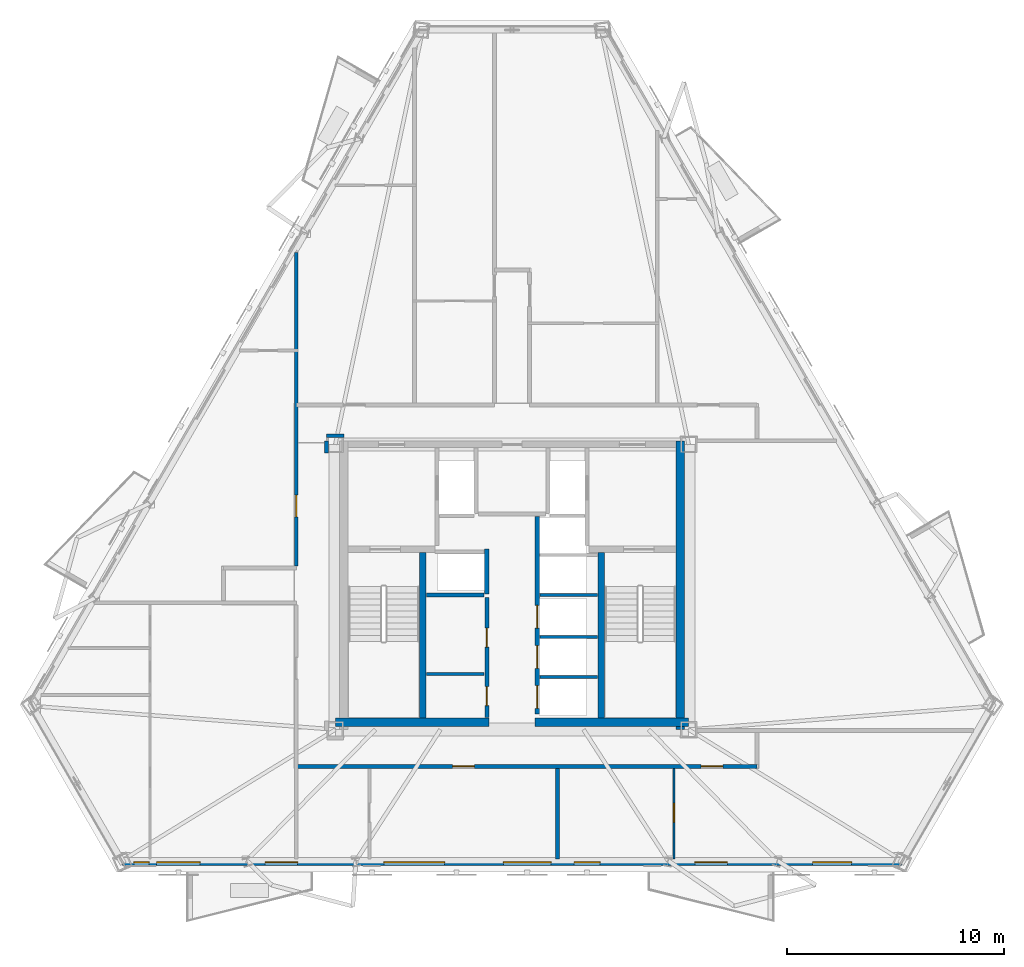
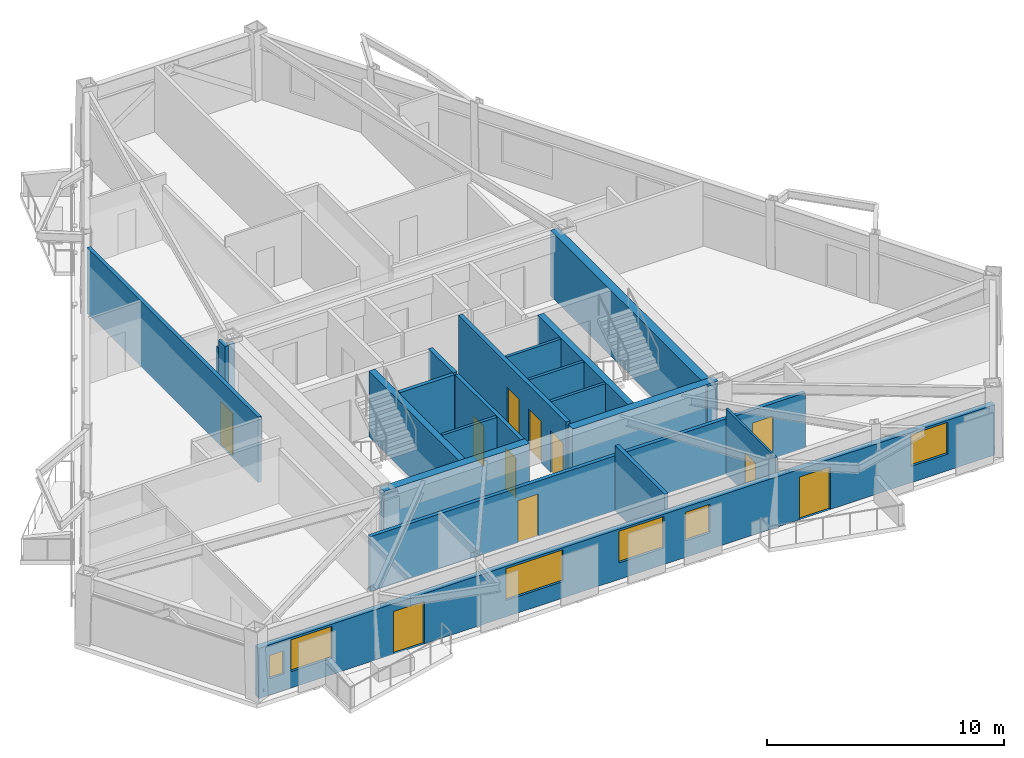
# One storey, part 3 of 9: 20 walls, 11 doors, 6 windows, 17 openings.
"""IFC4 building model written with IfcOpenShell, lengths in metres."""

from ifc_helpers import new_model, si_unit, direction, frame, frame_2d, origin, place, context, subcontext, project, spatial, rectangle, extrude, material, layer, layer_set, type_object, element, fill, save


model = new_model("IFC4")

# Units and contexts
model_context = context("Model", 3, precision=1e-05, world=origin(), true_north=direction((0.0, 1.0)))
body_context = subcontext(model_context, "Body", "Model", "MODEL_VIEW")
ifc_project = project(units=[si_unit("LENGTHUNIT", "METRE"), si_unit("AREAUNIT", "SQUARE_METRE"), si_unit("VOLUMEUNIT", "CUBIC_METRE"), si_unit("PLANEANGLEUNIT", "RADIAN"), si_unit("MASSUNIT", "GRAM", prefix="KILO")], contexts=[model_context])

# Site, building, storey
site_placement = place(None, origin())
site = spatial("IfcSite", under=ifc_project, at=site_placement, CompositionType="ELEMENT")
building_placement = place(site_placement, origin())
building = spatial("IfcBuilding", under=site, at=building_placement, Name="Oramaril Tower", CompositionType="ELEMENT")
storey_placement = place(building_placement, frame((0.0, 0.0, 174.60009765625)))
storey = spatial("IfcBuildingStorey", under=building, at=storey_placement, Name="L46", CompositionType="ELEMENT", Elevation=174.60009765625)

# Wall, openings, doors, windows
ifc_material_1 = material(Name="Warm Cream Limestone", Category="masonry")
ifc_layer_1 = layer(ifc_material_1, 0.2900390625)
ifc_layer_set_1 = layer_set([ifc_layer_1], Name="WT-EXT29")
wall_type_1 = type_object("IfcWallType", Name="WT-EXT29", PredefinedType="SOLIDWALL", material=ifc_layer_set_1)
wall_1_placement = place(storey_placement, frame((19.53515625, 4.884033203125, 0.0), z_axis=(0.0, 0.0, 1.0), x_axis=(1.0, 0.0, 0.0)))
wall_1 = element("IfcWall", 1, at=wall_1_placement, inside=storey, type_object=wall_type_1, Name="L46 Tower Limestone Facade Wall 2M", PredefinedType="SOLIDWALL", context=body_context, shape_type="SweptSolid", body=[
    extrude(rectangle(XDim=35.9296875, YDim=0.2900390625, at=frame_2d((17.96484375, 0.0))), origin(), (0.0, 0.0, 1.0), 2.599853515625),
])
opening_1_placement = place(wall_1_placement, frame((6.579345703125, 0.0, 0.0)))
opening_1 = element("IfcOpeningElement", 2, at=opening_1_placement, cuts=wall_1, Name="Opening D-L46-BAL-S1", PredefinedType="OPENING", context=body_context, shape_type="SweptSolid", body=[
    extrude(rectangle(XDim=1.5, YDim=2.199951171875, at=frame_2d((0.75, 1.10009765625))), frame((0.0, 0.14501953125, 0.0), z_axis=(0.0, -1.0, 0.0), x_axis=(1.0, 0.0, 0.0)), (0.0, 0.0, 1.0), 0.2900390625),
])
opening_2_placement = place(wall_1_placement, frame((26.395263671875, 0.0, 0.0)))
opening_2 = element("IfcOpeningElement", 3, at=opening_2_placement, cuts=wall_1, Name="Opening D-L46-BAL-S2", PredefinedType="OPENING", context=body_context, shape_type="SweptSolid", body=[
    extrude(rectangle(XDim=1.5, YDim=2.199951171875, at=frame_2d((0.75, 1.10009765625))), frame((0.0, 0.14501953125, 0.0), z_axis=(0.0, -1.0, 0.0), x_axis=(1.0, 0.0, 0.0)), (0.0, 0.0, 1.0), 0.2900390625),
])
opening_3_placement = place(wall_1_placement, frame((12.05419921875, 0.0, 0.85009765625)))
opening_3 = element("IfcOpeningElement", 4, at=opening_3_placement, cuts=wall_1, Name="Opening WN-01", PredefinedType="OPENING", context=body_context, shape_type="SweptSolid", body=[
    extrude(rectangle(XDim=2.800048828125, YDim=1.639892578125, at=frame_2d((1.39990234375, 0.81982421875))), frame((0.0, 0.14501953125, 0.0), z_axis=(0.0, -1.0, 0.0), x_axis=(1.0, 0.0, 0.0)), (0.0, 0.0, 1.0), 0.2900390625),
])
opening_4_placement = place(wall_1_placement, frame((17.572021484375, 0.0, 0.85009765625)))
opening_4 = element("IfcOpeningElement", 5, at=opening_4_placement, cuts=wall_1, Name="Opening WN-04", PredefinedType="OPENING", context=body_context, shape_type="SweptSolid", body=[
    extrude(rectangle(XDim=2.199951171875, YDim=1.639892578125, at=frame_2d((1.10009765625, 0.81982421875))), frame((0.0, 0.14501953125, 0.0), z_axis=(0.0, -1.0, 0.0), x_axis=(1.0, 0.0, 0.0)), (0.0, 0.0, 1.0), 0.2900390625),
])
opening_5_placement = place(wall_1_placement, frame((31.831298828125, 0.0, 0.85009765625)))
opening_5 = element("IfcOpeningElement", 6, at=opening_5_placement, cuts=wall_1, Name="Opening WN-06", PredefinedType="OPENING", context=body_context, shape_type="SweptSolid", body=[
    extrude(rectangle(XDim=1.800048828125, YDim=1.639892578125, at=frame_2d((0.89990234375, 0.81982421875))), frame((0.0, 0.14501953125, 0.0), z_axis=(0.0, -1.0, 0.0), x_axis=(1.0, 0.0, 0.0)), (0.0, 0.0, 1.0), 0.2900390625),
])
opening_6_placement = place(wall_1_placement, frame((20.82421875, 0.0, 0.85009765625)))
opening_6 = element("IfcOpeningElement", 7, at=opening_6_placement, cuts=wall_1, Name="Opening WN-09", PredefinedType="OPENING", context=body_context, shape_type="SweptSolid", body=[
    extrude(rectangle(XDim=1.199951171875, YDim=1.47998046875, at=frame_2d((0.60009765625, 0.739990234375))), frame((0.0, 0.14501953125, 0.0), z_axis=(0.0, -1.0, 0.0), x_axis=(1.0, 0.0, 0.0)), (0.0, 0.0, 1.0), 0.2900390625),
])
opening_7_placement = place(wall_1_placement, frame((1.5791015625, 0.0, 0.85009765625)))
opening_7 = element("IfcOpeningElement", 8, at=opening_7_placement, cuts=wall_1, Name="Opening WN-05", PredefinedType="OPENING", context=body_context, shape_type="SweptSolid", body=[
    extrude(rectangle(XDim=2.0, YDim=1.639892578125, at=frame_2d((1.0, 0.81982421875))), frame((0.0, 0.14501953125, 0.0), z_axis=(0.0, -1.0, 0.0), x_axis=(1.0, 0.0, 0.0)), (0.0, 0.0, 1.0), 0.2900390625),
])
opening_8_placement = place(wall_1_placement, frame((0.530029296875, 0.0, 0.85009765625)))
opening_8 = element("IfcOpeningElement", 9, at=opening_8_placement, cuts=wall_1, Name="Opening WN-14", PredefinedType="OPENING", context=body_context, shape_type="SweptSolid", body=[
    extrude(rectangle(XDim=0.699951171875, YDim=1.199951171875, at=frame_2d((0.35009765625, 0.60009765625))), frame((0.0, 0.14501953125, 0.0), z_axis=(0.0, -1.0, 0.0), x_axis=(1.0, 0.0, 0.0)), (0.0, 0.0, 1.0), 0.2900390625),
])
ifc_material_2 = material(Name="Anodised Aluminium 6063-T6", Category="aluminium")
door_type_1 = type_object("IfcDoorType", Name="DT-BAL", OperationType="NOTDEFINED", PredefinedType="DOOR", material=ifc_material_2)
door_1_placement = place(opening_1_placement, origin())
door_1 = element("IfcDoor", 10, at=door_1_placement, inside=storey, type_object=door_type_1, Name="L46 Balcony Glazed Door L46-BAL-S1", OperationType="SINGLE_SWING_LEFT", OverallHeight=2.199951171875, OverallWidth=1.5, PredefinedType="DOOR", context=body_context, shape_type="SweptSolid", body=[
    extrude(rectangle(XDim=1.5, YDim=2.199951171875, at=frame_2d((0.75, 1.10009765625))), frame((0.0, 0.02490234375, 0.0), z_axis=(0.0, -1.0, 0.0), x_axis=(1.0, 0.0, 0.0)), (0.0, 0.0, 1.0), 0.050048828125),
])
fill(opening_1, door_1)
door_2_placement = place(opening_2_placement, origin())
door_2 = element("IfcDoor", 11, at=door_2_placement, inside=storey, type_object=door_type_1, Name="L46 Balcony Glazed Door L46-BAL-S2", OperationType="SINGLE_SWING_RIGHT", OverallHeight=2.199951171875, OverallWidth=1.5, PredefinedType="DOOR", context=body_context, shape_type="SweptSolid", body=[
    extrude(rectangle(XDim=1.5, YDim=2.199951171875, at=frame_2d((0.75, 1.10009765625))), frame((0.0, 0.02490234375, 0.0), z_axis=(0.0, -1.0, 0.0), x_axis=(1.0, 0.0, 0.0)), (0.0, 0.0, 1.0), 0.050048828125),
])
fill(opening_2, door_2)
ifc_material_3 = material(Name="Coastal Low-E Insulated Glass", Category="glass")
window_type_1 = type_object("IfcWindowType", Name="WNT-01", PartitioningType="SINGLE_PANEL", PredefinedType="WINDOW", material=ifc_material_3)
window_1_placement = place(opening_3_placement, origin())
window_1 = element("IfcWindow", 12, at=window_1_placement, inside=storey, type_object=window_type_1, Name="L46 Chicago Bay Window WN-01", OverallHeight=1.639892578125, OverallWidth=2.800048828125, PartitioningType="SINGLE_PANEL", PredefinedType="WINDOW", context=body_context, shape_type="SweptSolid", body=[
    extrude(rectangle(XDim=2.800048828125, YDim=1.639892578125, at=frame_2d((1.39990234375, 0.81982421875))), frame((0.0, 0.030029296875, 0.0), z_axis=(0.0, -1.0, 0.0), x_axis=(1.0, 0.0, 0.0)), (0.0, 0.0, 1.0), 0.06005859375),
])
fill(opening_3, window_1)
ifc_material_4 = material(Name="Coastal Low-E Insulated Glass", Category="glass")
window_type_2 = type_object("IfcWindowType", Name="WNT-04", PartitioningType="SINGLE_PANEL", PredefinedType="WINDOW", material=ifc_material_4)
window_2_placement = place(opening_4_placement, origin())
window_2 = element("IfcWindow", 13, at=window_2_placement, inside=storey, type_object=window_type_2, Name="L46 Chicago Bay Window WN-04", OverallHeight=1.639892578125, OverallWidth=2.199951171875, PartitioningType="SINGLE_PANEL", PredefinedType="WINDOW", context=body_context, shape_type="SweptSolid", body=[
    extrude(rectangle(XDim=2.199951171875, YDim=1.639892578125, at=frame_2d((1.10009765625, 0.81982421875))), frame((0.0, 0.030029296875, 0.0), z_axis=(0.0, -1.0, 0.0), x_axis=(1.0, 0.0, 0.0)), (0.0, 0.0, 1.0), 0.06005859375),
])
fill(opening_4, window_2)
ifc_material_5 = material(Name="Coastal Low-E Insulated Glass", Category="glass")
window_type_3 = type_object("IfcWindowType", Name="WNT-05", PartitioningType="SINGLE_PANEL", PredefinedType="WINDOW", material=ifc_material_5)
window_3_placement = place(opening_7_placement, origin())
window_3 = element("IfcWindow", 14, at=window_3_placement, inside=storey, type_object=window_type_3, Name="L46 Chicago Bay Window WN-05", OverallHeight=1.639892578125, OverallWidth=2.0, PartitioningType="SINGLE_PANEL", PredefinedType="WINDOW", context=body_context, shape_type="SweptSolid", body=[
    extrude(rectangle(XDim=2.0, YDim=1.639892578125, at=frame_2d((1.0, 0.81982421875))), frame((0.0, 0.030029296875, 0.0), z_axis=(0.0, -1.0, 0.0), x_axis=(1.0, 0.0, 0.0)), (0.0, 0.0, 1.0), 0.06005859375),
])
fill(opening_7, window_3)
ifc_material_6 = material(Name="Coastal Low-E Insulated Glass", Category="glass")
window_type_4 = type_object("IfcWindowType", Name="WNT-06", PartitioningType="SINGLE_PANEL", PredefinedType="WINDOW", material=ifc_material_6)
window_4_placement = place(opening_5_placement, origin())
window_4 = element("IfcWindow", 15, at=window_4_placement, inside=storey, type_object=window_type_4, Name="L46 Chicago Bay Window WN-06", OverallHeight=1.639892578125, OverallWidth=1.800048828125, PartitioningType="SINGLE_PANEL", PredefinedType="WINDOW", context=body_context, shape_type="SweptSolid", body=[
    extrude(rectangle(XDim=1.800048828125, YDim=1.639892578125, at=frame_2d((0.89990234375, 0.81982421875))), frame((0.0, 0.030029296875, 0.0), z_axis=(0.0, -1.0, 0.0), x_axis=(1.0, 0.0, 0.0)), (0.0, 0.0, 1.0), 0.06005859375),
])
fill(opening_5, window_4)
ifc_material_7 = material(Name="Coastal Low-E Insulated Glass", Category="glass")
window_type_5 = type_object("IfcWindowType", Name="WNT-09", PartitioningType="SINGLE_PANEL", PredefinedType="WINDOW", material=ifc_material_7)
window_5_placement = place(opening_6_placement, origin())
window_5 = element("IfcWindow", 16, at=window_5_placement, inside=storey, type_object=window_type_5, Name="L46 Chicago Bay Window WN-09", OverallHeight=1.47998046875, OverallWidth=1.199951171875, PartitioningType="SINGLE_PANEL", PredefinedType="WINDOW", context=body_context, shape_type="SweptSolid", body=[
    extrude(rectangle(XDim=1.199951171875, YDim=1.47998046875, at=frame_2d((0.60009765625, 0.739990234375))), frame((0.0, 0.030029296875, 0.0), z_axis=(0.0, -1.0, 0.0), x_axis=(1.0, 0.0, 0.0)), (0.0, 0.0, 1.0), 0.06005859375),
])
fill(opening_6, window_5)
ifc_material_8 = material(Name="Coastal Low-E Insulated Glass", Category="glass")
window_type_6 = type_object("IfcWindowType", Name="WNT-14", PartitioningType="SINGLE_PANEL", PredefinedType="WINDOW", material=ifc_material_8)
window_6_placement = place(opening_8_placement, origin())
window_6 = element("IfcWindow", 17, at=window_6_placement, inside=storey, type_object=window_type_6, Name="L46 Apartment Bedroom Window WN-14", OverallHeight=1.199951171875, OverallWidth=0.699951171875, PartitioningType="SINGLE_PANEL", PredefinedType="WINDOW", context=body_context, shape_type="SweptSolid", body=[
    extrude(rectangle(XDim=0.699951171875, YDim=1.199951171875, at=frame_2d((0.35009765625, 0.60009765625))), frame((0.0, 0.030029296875, 0.0), z_axis=(0.0, -1.0, 0.0), x_axis=(1.0, 0.0, 0.0)), (0.0, 0.0, 1.0), 0.06005859375),
])
fill(opening_8, window_6)

# Wall, opening, door
ifc_material_9 = material(Name="Acoustic Gypsum Board Partition")
ifc_layer_2 = layer(ifc_material_9, 0.10009765625)
ifc_layer_set_2 = layer_set([ifc_layer_2], Name="WT-PT10")
wall_type_2 = type_object("IfcWallType", Name="WT-PT10", PredefinedType="PARTITIONING", material=ifc_layer_set_2)
wall_2_placement = place(storey_placement, frame((44.969970703125, 5.032958984375, 0.0), z_axis=(0.0, 0.0, 1.0), x_axis=(0.0, 1.0, 0.0)))
wall_2 = element("IfcWall", 18, at=wall_2_placement, inside=storey, type_object=wall_type_2, Name="L46 Interior Partition PT-10", PredefinedType="PARTITIONING", context=body_context, shape_type="SweptSolid", body=[
    extrude(rectangle(XDim=4.173095703125, YDim=0.10009765625, at=frame_2d((2.08642578125, 0.0))), origin(), (0.0, 0.0, 1.0), 3.3798828125),
])
opening_9_placement = place(wall_2_placement, frame((1.694091796875, 0.0, 0.0)))
opening_9 = element("IfcOpeningElement", 19, at=opening_9_placement, cuts=wall_2, Name="Opening D-L46-18", PredefinedType="OPENING", context=body_context, shape_type="SweptSolid", body=[
    extrude(rectangle(XDim=0.8798828125, YDim=2.080078125, at=frame_2d((0.43994140625, 1.0400390625))), frame((0.0, 0.050048828125, 0.0), z_axis=(0.0, -1.0, 0.0), x_axis=(1.0, 0.0, 0.0)), (0.0, 0.0, 1.0), 0.10009765625),
])
ifc_material_10 = material(Name="FSC Brazilian Freijo Hardwood", Category="wood")
door_type_2 = type_object("IfcDoorType", Name="DT-BATH", OperationType="NOTDEFINED", PredefinedType="DOOR", material=ifc_material_10)
door_3_placement = place(opening_9_placement, origin())
door_3 = element("IfcDoor", 20, at=door_3_placement, inside=storey, type_object=door_type_2, Name="L46 Flat L46-U2 Bathroom Door D-L46-18", OperationType="SINGLE_SWING_LEFT", OverallHeight=2.080078125, OverallWidth=0.8798828125, PredefinedType="DOOR", context=body_context, shape_type="SweptSolid", body=[
    extrude(rectangle(XDim=0.8798828125, YDim=2.080078125, at=frame_2d((0.43994140625, 1.0400390625))), frame((0.0, 0.02490234375, 0.0), z_axis=(0.0, -1.0, 0.0), x_axis=(1.0, 0.0, 0.0)), (0.0, 0.0, 1.0), 0.050048828125),
])
fill(opening_9, door_3)

# Walls
ifc_material_11 = material(Name="Acoustic Gypsum Board Partition")
ifc_layer_3 = layer(ifc_material_11, 0.139892578125)
ifc_layer_set_3 = layer_set([ifc_layer_3], Name="WT-PT14")
wall_type_3 = type_object("IfcWallType", Name="WT-PT14", PredefinedType="PARTITIONING", material=ifc_layer_set_3)
for number, where, z_axis, x_axis, name in (
    (21, (33.56005859375, 13.570068359375, 0.0), (0.0, 0.0, 1.0), (1.0, 0.0, 0.0), "L46 Freed Shaft Divider"),
    (22, (38.780029296875, 13.419921875, 0.0), (0.0, 0.0, 1.0), (1.0, 0.0, 0.0), "L46 East Lift Divider"),
    (23, (38.780029296875, 15.27001953125, 0.0), (0.0, 0.0, 1.0), (1.0, 0.0, 0.0), "L46 East Lift Divider"),
    (24, (38.780029296875, 17.199951171875, 0.0), (0.0, 0.0, 1.0), (1.0, 0.0, 0.0), "L46 East Lift Divider"),
):
    element("IfcWall", number, at=place(storey_placement, frame(where, z_axis=z_axis, x_axis=x_axis)), inside=storey, type_object=wall_type_3, Name=name, PredefinedType="PARTITIONING", context=body_context, shape_type="SweptSolid", body=[
        extrude(rectangle(XDim=2.659912109375, YDim=0.139892578125, at=frame_2d((1.330078125, 0.0))), origin(), (0.0, 0.0, 1.0), 3.3798828125),
    ])
ifc_material_12 = material(Name="Autoclaved Cellular Concrete Block", Category="concrete")
ifc_layer_4 = layer(ifc_material_12, 0.179931640625)
ifc_layer_set_4 = layer_set([ifc_layer_4], Name="WT-PT18")
wall_type_4 = type_object("IfcWallType", Name="WT-PT18", PredefinedType="PARTITIONING", material=ifc_layer_set_4)
wall_3_placement = place(storey_placement, frame((33.56005859375, 17.199951171875, 0.0), z_axis=(0.0, 0.0, 1.0), x_axis=(1.0, 0.0, 0.0)))
element("IfcWall", 25, at=wall_3_placement, inside=storey, type_object=wall_type_4, Name="L46 High-Rise Lift H1 South Wall", PredefinedType="PARTITIONING", context=body_context, shape_type="SweptSolid", body=[
    extrude(rectangle(XDim=2.659912109375, YDim=0.179931640625, at=frame_2d((1.330078125, 0.0))), origin(), (0.0, 0.0, 1.0), 3.3798828125),
])

# Wall, openings, doors
wall_4_placement = place(storey_placement, frame((36.340087890625, 11.550048828125, 0.0), z_axis=(0.0, 0.0, 1.0), x_axis=(0.0, 1.0, 0.0)))
wall_4 = element("IfcWall", 26, at=wall_4_placement, inside=storey, type_object=wall_type_4, Name="L46 Freed Shaft Study East Wall", PredefinedType="PARTITIONING", context=body_context, shape_type="SweptSolid", body=[
    extrude(rectangle(XDim=5.550048828125, YDim=0.179931640625, at=frame_2d((2.77490234375, 0.0))), origin(), (0.0, 0.0, 1.0), 3.3798828125),
])
opening_10_placement = place(wall_4_placement, frame((0.550048828125, 0.0, 0.0)))
opening_10 = element("IfcOpeningElement", 27, at=opening_10_placement, cuts=wall_4, Name="Opening D-L46-FL1", PredefinedType="OPENING", context=body_context, shape_type="SweptSolid", body=[
    extrude(rectangle(XDim=0.8798828125, YDim=2.080078125, at=frame_2d((0.43994140625, 1.0400390625))), frame((0.0, 0.08984375, 0.0), z_axis=(0.0, -1.0, 0.0), x_axis=(1.0, 0.0, 0.0)), (0.0, 0.0, 1.0), 0.179931640625),
])
opening_11_placement = place(wall_4_placement, frame((3.25, 0.0, 0.0)))
opening_11 = element("IfcOpeningElement", 28, at=opening_11_placement, cuts=wall_4, Name="Opening D-L46-FL2", PredefinedType="OPENING", context=body_context, shape_type="SweptSolid", body=[
    extrude(rectangle(XDim=0.8798828125, YDim=2.080078125, at=frame_2d((0.43994140625, 1.0400390625))), frame((0.0, 0.08984375, 0.0), z_axis=(0.0, -1.0, 0.0), x_axis=(1.0, 0.0, 0.0)), (0.0, 0.0, 1.0), 0.179931640625),
])
door_4_placement = place(opening_10_placement, origin())
door_4 = element("IfcDoor", 29, at=door_4_placement, inside=storey, type_object=door_type_2, Name="L46 L46 Residents Tasting Dining Nook Door", OperationType="SINGLE_SWING_LEFT", OverallHeight=2.080078125, OverallWidth=0.8798828125, PredefinedType="DOOR", context=body_context, shape_type="SweptSolid", body=[
    extrude(rectangle(XDim=0.8798828125, YDim=2.080078125, at=frame_2d((0.43994140625, 1.0400390625))), frame((0.0, 0.02490234375, 0.0), z_axis=(0.0, -1.0, 0.0), x_axis=(1.0, 0.0, 0.0)), (0.0, 0.0, 1.0), 0.050048828125),
])
fill(opening_10, door_4)
door_5_placement = place(opening_11_placement, origin())
door_5 = element("IfcDoor", 30, at=door_5_placement, inside=storey, type_object=door_type_2, Name="L46 L46 Floor Co-Work Office Door", OperationType="SINGLE_SWING_RIGHT", OverallHeight=2.080078125, OverallWidth=0.8798828125, PredefinedType="DOOR", context=body_context, shape_type="SweptSolid", body=[
    extrude(rectangle(XDim=0.8798828125, YDim=2.080078125, at=frame_2d((0.43994140625, 1.0400390625))), frame((0.0, 0.02490234375, 0.0), z_axis=(0.0, -1.0, 0.0), x_axis=(1.0, 0.0, 0.0)), (0.0, 0.0, 1.0), 0.050048828125),
])
fill(opening_11, door_5)

wall_5_placement = place(storey_placement, frame((27.550048828125, 9.300048828125, 0.0), z_axis=(0.0, 0.0, 1.0), x_axis=(1.0, 0.0, 0.0)))
wall_5 = element("IfcWall", 31, at=wall_5_placement, inside=storey, type_object=wall_type_4, Name="L46 Interior Partition PT-18", PredefinedType="PARTITIONING", context=body_context, shape_type="SweptSolid", body=[
    extrude(rectangle(XDim=21.25, YDim=0.179931640625, at=frame_2d((10.625, 0.0))), origin(), (0.0, 0.0, 1.0), 2.841796875),
])
opening_12_placement = place(wall_5_placement, frame((7.2119140625, 0.0, 0.0)))
opening_12 = element("IfcOpeningElement", 32, at=opening_12_placement, cuts=wall_5, Name="Opening D-L46-01", PredefinedType="OPENING", context=body_context, shape_type="SweptSolid", body=[
    extrude(rectangle(XDim=1.0, YDim=2.179931640625, at=frame_2d((0.5, 1.08984375))), frame((0.0, 0.08984375, 0.0), z_axis=(0.0, -1.0, 0.0), x_axis=(1.0, 0.0, 0.0)), (0.0, 0.0, 1.0), 0.179931640625),
])
opening_13_placement = place(wall_5_placement, frame((18.67236328125, 0.0, 0.0)))
opening_13 = element("IfcOpeningElement", 33, at=opening_13_placement, cuts=wall_5, Name="Opening D-L46-02", PredefinedType="OPENING", context=body_context, shape_type="SweptSolid", body=[
    extrude(rectangle(XDim=1.0, YDim=2.179931640625, at=frame_2d((0.5, 1.08984375))), frame((0.0, 0.08984375, 0.0), z_axis=(0.0, -1.0, 0.0), x_axis=(1.0, 0.0, 0.0)), (0.0, 0.0, 1.0), 0.179931640625),
])
ifc_material_13 = material(Name="FSC Brazilian Freijo Hardwood", Category="wood")
door_type_3 = type_object("IfcDoorType", Name="DT-APT", OperationType="NOTDEFINED", PredefinedType="DOOR", material=ifc_material_13)
door_6_placement = place(opening_12_placement, origin())
door_6 = element("IfcDoor", 34, at=door_6_placement, inside=storey, type_object=door_type_3, Name="L46 Flat L46-U1 Kitchen and Studio Apartment Door D-L46-01", OperationType="SINGLE_SWING_RIGHT", OverallHeight=2.179931640625, OverallWidth=1.0, PredefinedType="DOOR", context=body_context, shape_type="SweptSolid", body=[
    extrude(rectangle(XDim=1.0, YDim=2.179931640625, at=frame_2d((0.5, 1.08984375))), frame((0.0, 0.02490234375, 0.0), z_axis=(0.0, -1.0, 0.0), x_axis=(1.0, 0.0, 0.0)), (0.0, 0.0, 1.0), 0.050048828125),
])
fill(opening_12, door_6)
door_7_placement = place(opening_13_placement, origin())
door_7 = element("IfcDoor", 35, at=door_7_placement, inside=storey, type_object=door_type_3, Name="L46 Flat L46-U2 Kitchen and Studio Apartment Door D-L46-02", OperationType="SINGLE_SWING_LEFT", OverallHeight=2.179931640625, OverallWidth=1.0, PredefinedType="DOOR", context=body_context, shape_type="SweptSolid", body=[
    extrude(rectangle(XDim=1.0, YDim=2.179931640625, at=frame_2d((0.5, 1.08984375))), frame((0.0, 0.02490234375, 0.0), z_axis=(0.0, -1.0, 0.0), x_axis=(1.0, 0.0, 0.0)), (0.0, 0.0, 1.0), 0.050048828125),
])
fill(opening_13, door_7)

# Wall
wall_6_placement = place(storey_placement, frame((28.955078125, 24.550048828125, 0.0), z_axis=(0.0, 0.0, 1.0), x_axis=(1.0, 0.0, 0.0)))
element("IfcWall", 36, at=wall_6_placement, inside=storey, type_object=wall_type_4, Name="L46 Interior Partition PT-18", PredefinedType="PARTITIONING", context=body_context, shape_type="SweptSolid", body=[
    extrude(rectangle(XDim=0.7900390625, YDim=0.179931640625, at=frame_2d((0.39501953125, 0.0))), origin(), (0.0, 0.0, 1.0), 2.841796875),
])

# Wall, opening, door
wall_7_placement = place(storey_placement, frame((27.550048828125, 18.5439453125, 0.0), z_axis=(0.0, 0.0, 1.0), x_axis=(0.0, 1.0, 0.0)))
wall_7 = element("IfcWall", 37, at=wall_7_placement, inside=storey, type_object=wall_type_4, Name="L46 Interior Partition PT-18", PredefinedType="PARTITIONING", context=body_context, shape_type="SweptSolid", body=[
    extrude(rectangle(XDim=14.4560546875, YDim=0.179931640625, at=frame_2d((7.22802734375, 0.0))), origin(), (0.0, 0.0, 1.0), 3.3798828125),
])
opening_14_placement = place(wall_7_placement, frame((2.26708984375, 0.0, 0.0)))
opening_14 = element("IfcOpeningElement", 38, at=opening_14_placement, cuts=wall_7, Name="Opening D-L46-14", PredefinedType="OPENING", context=body_context, shape_type="SweptSolid", body=[
    extrude(rectangle(XDim=1.0, YDim=2.179931640625, at=frame_2d((0.5, 1.08984375))), frame((0.0, 0.08984375, 0.0), z_axis=(0.0, -1.0, 0.0), x_axis=(1.0, 0.0, 0.0)), (0.0, 0.0, 1.0), 0.179931640625),
])
door_8_placement = place(opening_14_placement, origin())
door_8 = element("IfcDoor", 39, at=door_8_placement, inside=storey, type_object=door_type_3, Name="L46 Flat L46-U4 Kitchen and Studio Apartment Door D-L46-14", OperationType="SINGLE_SWING_LEFT", OverallHeight=2.179931640625, OverallWidth=1.0, PredefinedType="DOOR", context=body_context, shape_type="SweptSolid", body=[
    extrude(rectangle(XDim=1.0, YDim=2.179931640625, at=frame_2d((0.5, 1.08984375))), frame((0.0, 0.02490234375, 0.0), z_axis=(0.0, -1.0, 0.0), x_axis=(1.0, 0.0, 0.0)), (0.0, 0.0, 1.0), 0.050048828125),
])
fill(opening_14, door_8)

# Walls
wall_8_placement = place(storey_placement, frame((28.949951171875, 23.7548828125, 0.0), z_axis=(0.0, 0.0, 1.0), x_axis=(0.0, 1.0, 0.0)))
element("IfcWall", 40, at=wall_8_placement, inside=storey, type_object=wall_type_4, Name="L46 Interior Partition PT-18", PredefinedType="PARTITIONING", context=body_context, shape_type="SweptSolid", body=[
    extrude(rectangle(XDim=0.565185546875, YDim=0.179931640625, at=frame_2d((0.28271484375, 0.0))), origin(), (0.0, 0.0, 1.0), 3.3798828125),
])
wall_9_placement = place(storey_placement, frame((39.60009765625, 5.032958984375, 0.0), z_axis=(0.0, 0.0, 1.0), x_axis=(0.0, 1.0, 0.0)))
element("IfcWall", 41, at=wall_9_placement, inside=storey, type_object=wall_type_4, Name="L46 Interior Partition PT-18", PredefinedType="PARTITIONING", context=body_context, shape_type="SweptSolid", body=[
    extrude(rectangle(XDim=4.173095703125, YDim=0.179931640625, at=frame_2d((2.08642578125, 0.0))), origin(), (0.0, 0.0, 1.0), 3.3798828125),
])
ifc_material_14 = material(Name="Concrete C50/60", Category="concrete")
ifc_layer_5 = layer(ifc_material_14, 0.300048828125)
ifc_layer_set_5 = layer_set([ifc_layer_5], Name="WT-SH30")
wall_type_5 = type_object("IfcWallType", Name="WT-SH30", PredefinedType="SHEAR", material=ifc_layer_set_5)
for number, where, z_axis, x_axis, name in (
    (42, (33.3798828125, 11.5400390625, 0.0), (0.0, 0.0, 1.0), (0.0, 1.0, 0.0), "L46 Core Shear Wall CW-ST1E"),
    (43, (41.6201171875, 11.5400390625, 0.0), (0.0, 0.0, 1.0), (0.0, 1.0, 0.0), "L46 Core Shear Wall CW-ST2W"),
):
    element("IfcWall", number, at=place(storey_placement, frame(where, z_axis=z_axis, x_axis=x_axis)), inside=storey, type_object=wall_type_5, Name=name, PredefinedType="SHEAR", context=body_context, shape_type="SweptSolid", body=[
        extrude(rectangle(XDim=7.619873046875, YDim=0.300048828125, at=frame_2d((3.81005859375, 0.0))), origin(), (0.0, 0.0, 1.0), 3.3798828125),
    ])
ifc_material_15 = material(Name="Concrete C50/60", Category="concrete")
ifc_layer_6 = layer(ifc_material_15, 0.39990234375)
ifc_layer_set_6 = layer_set([ifc_layer_6], Name="WT-SH40")
wall_type_6 = type_object("IfcWallType", Name="WT-SH40", PredefinedType="SHEAR", material=ifc_layer_set_6)
wall_10_placement = place(storey_placement, frame((45.260009765625, 11.0, 0.0), z_axis=(0.0, 0.0, 1.0), x_axis=(0.0, 1.0, 0.0)))
element("IfcWall", 44, at=wall_10_placement, inside=storey, type_object=wall_type_6, Name="L46 Core Shear Wall CW-E", PredefinedType="SHEAR", context=body_context, shape_type="SweptSolid", body=[
    extrude(rectangle(XDim=13.300048828125, YDim=0.39990234375, at=frame_2d((6.64990234375, 0.0))), origin(), (0.0, 0.0, 1.0), 3.3798828125),
])
for number, where, z_axis, x_axis, name in (
    (45, (29.35009765625, 11.340087890625, 0.0), (0.0, 0.0, 1.0), (1.0, 0.0, 0.0), "L46 Core Shear Wall CW-SW"),
    (46, (38.550048828125, 11.340087890625, 0.0), (0.0, 0.0, 1.0), (1.0, 0.0, 0.0), "L46 Core Shear Wall CW-SE"),
):
    element("IfcWall", number, at=place(storey_placement, frame(where, z_axis=z_axis, x_axis=x_axis)), inside=storey, type_object=wall_type_6, Name=name, PredefinedType="SHEAR", context=body_context, shape_type="SweptSolid", body=[
        extrude(rectangle(XDim=7.099853515625, YDim=0.39990234375, at=frame_2d((3.5498046875, 0.0))), origin(), (0.0, 0.0, 1.0), 3.3798828125),
    ])
ifc_material_16 = material(Name="Autoclaved Cellular Concrete Block", Category="concrete")
ifc_layer_7 = layer(ifc_material_16, 0.199951171875)
ifc_layer_set_7 = layer_set([ifc_layer_7], Name="WT-SHF20")
wall_type_7 = type_object("IfcWallType", Name="WT-SHF20", PredefinedType="PARTITIONING", material=ifc_layer_set_7)
wall_11_placement = place(storey_placement, frame((36.340087890625, 17.25, 0.0), z_axis=(0.0, 0.0, 1.0), x_axis=(0.0, 1.0, 0.0)))
element("IfcWall", 47, at=wall_11_placement, inside=storey, type_object=wall_type_7, Name="L46 High-Rise Lift H1 Front Wall", PredefinedType="PARTITIONING", context=body_context, shape_type="SweptSolid", body=[
    extrude(rectangle(XDim=2.070068359375, YDim=0.199951171875, at=frame_2d((1.03515625, 0.0))), origin(), (0.0, 0.0, 1.0), 3.3798828125),
])

# Wall, openings, doors
wall_12_placement = place(storey_placement, frame((38.659912109375, 11.719970703125, 0.0), z_axis=(0.0, 0.0, 1.0), x_axis=(0.0, 1.0, 0.0)))
wall_12 = element("IfcWall", 48, at=wall_12_placement, inside=storey, type_object=wall_type_7, Name="L46 East Lift Bank Front Wall", PredefinedType="PARTITIONING", context=body_context, shape_type="SweptSolid", body=[
    extrude(rectangle(XDim=9.10009765625, YDim=0.199951171875, at=frame_2d((4.550048828125, 0.0))), origin(), (0.0, 0.0, 1.0), 3.3798828125),
])
opening_15_placement = place(wall_12_placement, frame((0.2548828125, 0.0, 0.0)))
opening_15 = element("IfcOpeningElement", 49, at=opening_15_placement, cuts=wall_12, Name="Opening LD-L46-LP-M1", PredefinedType="OPENING", context=body_context, shape_type="SweptSolid", body=[
    extrude(rectangle(XDim=1.050048828125, YDim=2.14990234375, at=frame_2d((0.52490234375, 1.074951171875))), frame((0.0, 0.10009765625, 0.0), z_axis=(0.0, -1.0, 0.0), x_axis=(1.0, 0.0, 0.0)), (0.0, 0.0, 1.0), 0.199951171875),
])
opening_16_placement = place(wall_12_placement, frame((2.10498046875, 0.0, 0.0)))
opening_16 = element("IfcOpeningElement", 50, at=opening_16_placement, cuts=wall_12, Name="Opening LD-L46-LP-M2", PredefinedType="OPENING", context=body_context, shape_type="SweptSolid", body=[
    extrude(rectangle(XDim=1.050048828125, YDim=2.14990234375, at=frame_2d((0.52490234375, 1.074951171875))), frame((0.0, 0.10009765625, 0.0), z_axis=(0.0, -1.0, 0.0), x_axis=(1.0, 0.0, 0.0)), (0.0, 0.0, 1.0), 0.199951171875),
])
opening_17_placement = place(wall_12_placement, frame((3.955078125, 0.0, 0.0)))
opening_17 = element("IfcOpeningElement", 51, at=opening_17_placement, cuts=wall_12, Name="Opening LD-L46-LP-M3", PredefinedType="OPENING", context=body_context, shape_type="SweptSolid", body=[
    extrude(rectangle(XDim=1.050048828125, YDim=2.14990234375, at=frame_2d((0.52490234375, 1.074951171875))), frame((0.0, 0.10009765625, 0.0), z_axis=(0.0, -1.0, 0.0), x_axis=(1.0, 0.0, 0.0)), (0.0, 0.0, 1.0), 0.199951171875),
])
ifc_material_17 = material(Name="Stainless Steel 316L", Category="steel")
door_type_4 = type_object("IfcDoorType", Name="DT-LD2", OperationType="NOTDEFINED", PredefinedType="DOOR", material=ifc_material_17)
door_9_placement = place(opening_15_placement, origin())
door_9 = element("IfcDoor", 52, at=door_9_placement, inside=storey, type_object=door_type_4, Name="L46 Lift LP-M1 Sliding Landing Door", OperationType="SLIDING_TO_RIGHT", OverallHeight=2.14990234375, OverallWidth=1.050048828125, PredefinedType="DOOR", context=body_context, shape_type="SweptSolid", body=[
    extrude(rectangle(XDim=1.050048828125, YDim=2.14990234375, at=frame_2d((0.52490234375, 1.074951171875))), frame((0.0, 0.02490234375, 0.0), z_axis=(0.0, -1.0, 0.0), x_axis=(1.0, 0.0, 0.0)), (0.0, 0.0, 1.0), 0.050048828125),
])
fill(opening_15, door_9)
door_10_placement = place(opening_16_placement, origin())
door_10 = element("IfcDoor", 53, at=door_10_placement, inside=storey, type_object=door_type_4, Name="L46 Lift LP-M2 Sliding Landing Door", OperationType="SLIDING_TO_LEFT", OverallHeight=2.14990234375, OverallWidth=1.050048828125, PredefinedType="DOOR", context=body_context, shape_type="SweptSolid", body=[
    extrude(rectangle(XDim=1.050048828125, YDim=2.14990234375, at=frame_2d((0.52490234375, 1.074951171875))), frame((0.0, 0.02490234375, 0.0), z_axis=(0.0, -1.0, 0.0), x_axis=(1.0, 0.0, 0.0)), (0.0, 0.0, 1.0), 0.050048828125),
])
fill(opening_16, door_10)
door_11_placement = place(opening_17_placement, origin())
door_11 = element("IfcDoor", 54, at=door_11_placement, inside=storey, type_object=door_type_4, Name="L46 Lift LP-M3 Sliding Landing Door", OperationType="SLIDING_TO_RIGHT", OverallHeight=2.14990234375, OverallWidth=1.050048828125, PredefinedType="DOOR", context=body_context, shape_type="SweptSolid", body=[
    extrude(rectangle(XDim=1.050048828125, YDim=2.14990234375, at=frame_2d((0.52490234375, 1.074951171875))), frame((0.0, 0.02490234375, 0.0), z_axis=(0.0, -1.0, 0.0), x_axis=(1.0, 0.0, 0.0)), (0.0, 0.0, 1.0), 0.050048828125),
])
fill(opening_17, door_11)

save(model, "model.ifc")
